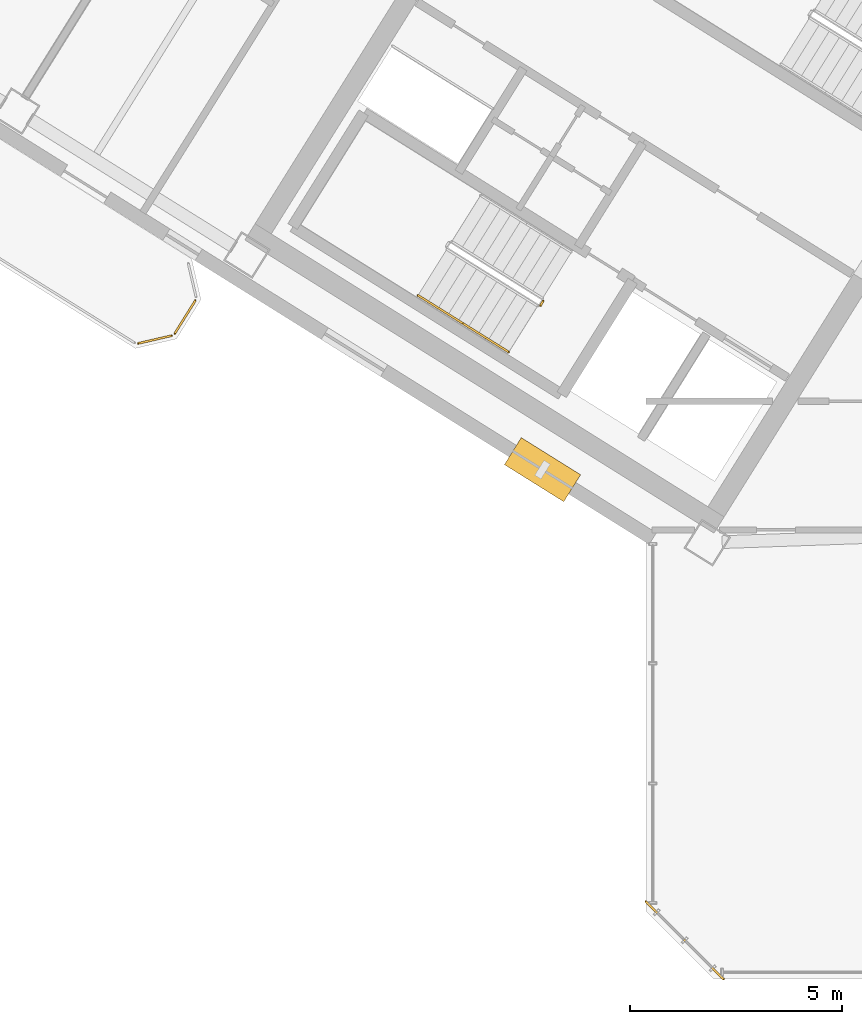
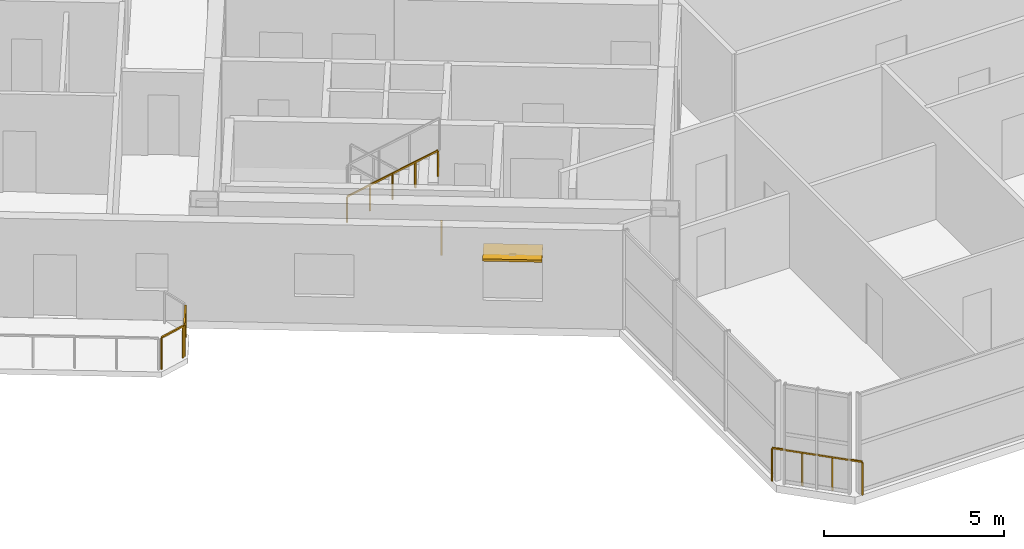
# One storey, part 19 of 23: 6 railings, 1 shading device.
"""IFC4 building model written with IfcOpenShell, lengths in metres."""

import ifcopenshell
import ifcopenshell.guid

model = None  # the IFC model being written
_history = None  # IfcOwnerHistory: only IFC2X3 demands one
_inside = {}  # id of a spatial element -> (the spatial element, [elements in it])
_under = {}  # id of a project, library or spatial element -> (it, [spatial elements below it])
_declared = {}  # id of a project -> (the project, [libraries it declares])
_typed = {}  # id of a type object -> (the type object, [elements of that type])
_made_of = {}  # id of a material, layer set ... -> (it, [elements and type objects made of it])


def new_model(schema):
    """Start an empty IFC model of exactly this schema.

    Asked for "IFC4X3", IfcOpenShell would pick the latest addendum, in which some entities
    have other attributes; the version numbers below select the first issue.
    IFC2X3 requires an IfcOwnerHistory on every rooted entity: one is made here for all.
    """
    global model, _history
    if schema == "IFC4X3":
        model = ifcopenshell.file(schema_version=(4, 3, 0, 0))
    else:
        model = ifcopenshell.file(schema=schema)
    _inside.clear()
    _under.clear()
    _declared.clear()
    _typed.clear()
    _made_of.clear()
    _history = None
    if model.schema == "IFC2X3":
        org = make("IfcOrganization", Name="unknown")
        user = make(
            "IfcPersonAndOrganization",
            ThePerson=make("IfcPerson", FamilyName="unknown"),
            TheOrganization=org,
        )
        app = make(
            "IfcApplication",
            ApplicationDeveloper=org,
            Version="unknown",
            ApplicationFullName="unknown",
            ApplicationIdentifier="unknown",
        )
        _history = make(
            "IfcOwnerHistory",
            OwningUser=user,
            OwningApplication=app,
            ChangeAction="ADDED",
            CreationDate=0,
        )
    return model


def make(cls, **values):
    """One entity of the class cls with the attributes given. An attribute that is None is left unset."""
    return model.create_entity(
        cls, **{name: value for name, value in values.items() if value is not None}
    )


def rooted(cls, **values):
    """An entity with a GlobalId (a new one), such as an element, a storey or a relation."""
    return make(cls, GlobalId=ifcopenshell.guid.new(), OwnerHistory=_history, **values)


def si_unit(unit_type, name, prefix=None):
    """IfcSIUnit, for example si_unit("LENGTHUNIT", "METRE", prefix="MILLI")."""
    return make("IfcSIUnit", UnitType=unit_type, Prefix=prefix, Name=name)


def assignment(units):
    """IfcUnitAssignment: the units of a project."""
    return None if units is None else make("IfcUnitAssignment", Units=units)


def point(xyz):
    """IfcCartesianPoint."""
    return None if xyz is None else make("IfcCartesianPoint", Coordinates=xyz)


def direction(xyz):
    """IfcDirection."""
    return None if xyz is None else make("IfcDirection", DirectionRatios=xyz)


def frame(location, z_axis=None, x_axis=None):
    """IfcAxis2Placement3D, a coordinate frame: its origin and axes. An axis left out is left unset."""
    return make(
        "IfcAxis2Placement3D",
        Location=point(location),
        Axis=direction(z_axis),
        RefDirection=direction(x_axis),
    )


def frame_2d(location, x_axis=None):
    """IfcAxis2Placement2D, a coordinate frame in the plane: its origin and x axis."""
    return make(
        "IfcAxis2Placement2D", Location=point(location), RefDirection=direction(x_axis)
    )


def origin():
    """The frame at (0, 0, 0) with its axes left unset."""
    return frame((0.0, 0.0, 0.0))


def origin_2d():
    """The frame at (0, 0) in the plane with its x axis left unset."""
    return frame_2d((0.0, 0.0))


def place(relative_to, where):
    """IfcLocalPlacement: puts the frame where relative to a parent placement (None: the world)."""
    return make(
        "IfcLocalPlacement", PlacementRelTo=relative_to, RelativePlacement=where
    )


def context(
    kind, dimensions, precision=None, world=None, true_north=None, identifier=None
):
    """IfcGeometricRepresentationContext, for example the 3D "Model" context."""
    return make(
        "IfcGeometricRepresentationContext",
        ContextIdentifier=identifier,
        ContextType=kind,
        CoordinateSpaceDimension=dimensions,
        Precision=precision,
        WorldCoordinateSystem=world,
        TrueNorth=true_north,
    )


def subcontext(parent, identifier, kind, view, scale=None):
    """IfcGeometricRepresentationSubContext, for example "Body" below "Model"."""
    return make(
        "IfcGeometricRepresentationSubContext",
        ContextIdentifier=identifier,
        ContextType=kind,
        ParentContext=parent,
        TargetScale=scale,
        TargetView=view,
    )


def project(units=None, contexts=None):
    """IfcProject with its units and contexts."""
    return rooted(
        "IfcProject",
        Name="project",
        RepresentationContexts=contexts,
        UnitsInContext=assignment(units),
    )


def spatial(cls, under=None, at=None, **own):
    """A site, building, storey or space (cls), placed at a placement, below another one or the project."""
    s = rooted(cls, ObjectPlacement=at, **own)
    if under is not None:
        _under.setdefault(under.id(), (under, []))[1].append(s)
    return s


def profile(cls, at=None, kind="AREA", **sizes):
    """A parametric profile (cls). Its sizes go by their IFC names, for example OverallWidth=200.0."""
    return make(cls, ProfileType=kind, Position=at, **sizes)


def rectangle(**sizes):
    """IfcRectangleProfileDef."""
    return profile("IfcRectangleProfileDef", **sizes)


def extrude(swept, where, along, depth):
    """IfcExtrudedAreaSolid: the profile swept, set in the frame where, extruded along a direction by depth."""
    return make(
        "IfcExtrudedAreaSolid",
        SweptArea=swept,
        Position=where,
        ExtrudedDirection=direction(along),
        Depth=depth,
    )


def shape(context_of_items, identifier, shape_type, items):
    """IfcShapeRepresentation: the items that make up one representation, for example the "Body"."""
    return make(
        "IfcShapeRepresentation",
        ContextOfItems=context_of_items,
        RepresentationIdentifier=identifier,
        RepresentationType=shape_type,
        Items=items,
    )


def source(mapping_origin, context_of_items, identifier, shape_type, items):
    """IfcRepresentationMap: a shape defined once, which mapped items show again and again."""
    return make(
        "IfcRepresentationMap",
        MappingOrigin=mapping_origin,
        MappedRepresentation=shape(context_of_items, identifier, shape_type, items),
    )


def transform(
    local_origin,
    x_axis=None,
    y_axis=None,
    z_axis=None,
    scale=None,
    scale2=None,
    scale3=None,
    uniform=True,
):
    """IfcCartesianTransformationOperator3D, or its non-uniform kind. x_axis, y_axis, z_axis: its Axis1, 2, 3."""
    if uniform:
        return make(
            "IfcCartesianTransformationOperator3D",
            Axis1=direction(x_axis),
            Axis2=direction(y_axis),
            LocalOrigin=point(local_origin),
            Scale=scale,
            Axis3=direction(z_axis),
        )
    return make(
        "IfcCartesianTransformationOperator3DnonUniform",
        Axis1=direction(x_axis),
        Axis2=direction(y_axis),
        LocalOrigin=point(local_origin),
        Scale=scale,
        Axis3=direction(z_axis),
        Scale2=scale2,
        Scale3=scale3,
    )


def mapped(mapping_source, mapping_target):
    """IfcMappedItem: shows the shape of a source again, moved by a transform."""
    return make(
        "IfcMappedItem", MappingSource=mapping_source, MappingTarget=mapping_target
    )


def material(Name=None, Category=None):
    """IfcMaterial."""
    return make("IfcMaterial", Name=Name, Category=Category)


def layer(
    of_material, thickness, ventilated=None, Name=None, Category=None, Priority=None
):
    """IfcMaterialLayer: one layer of a wall or slab, of a material (None: an air gap)."""
    return make(
        "IfcMaterialLayer",
        Material=of_material,
        LayerThickness=thickness,
        IsVentilated=ventilated,
        Name=Name,
        Category=Category,
        Priority=Priority,
    )


def layer_set(layers, Name=None):
    """IfcMaterialLayerSet."""
    return make("IfcMaterialLayerSet", MaterialLayers=layers, LayerSetName=Name)


def made_of(thing, what):
    """Note that an element or type object is made of a material, layer set ...; save() writes the relation."""
    if what is not None:
        _made_of.setdefault(what.id(), (what, []))[1].append(thing)
    return thing


def type_object(cls, material=None, **own):
    """A type object (cls), such as IfcWallType, which elements share."""
    return made_of(rooted(cls, **own), material)


def element(
    cls,
    number,
    at=None,
    inside=None,
    cuts=None,
    type_object=None,
    material=None,
    context=None,
    identifier="Body",
    shape_type=None,
    held_by="IfcProductDefinitionShape",
    body=None,
    shapes=None,
    **own,
):
    """One element of the class cls, such as IfcWall. Its Tag is "e" and its number.

    at: its placement. inside: the storey or other place that contains it. cuts: it is an
    opening in that element (IfcRelVoidsElement). A single representation is given by context,
    identifier, shape_type and body (its items); several are given by shapes. held_by: the class
    of the entity that holds the representations. save() writes the other relations.
    """
    e = rooted(cls, Tag="e%d" % number, ObjectPlacement=at, **own)
    if body is not None:
        shapes = [shape(context, identifier, shape_type, body)]
    if shapes is not None:
        e.Representation = make(held_by, Representations=shapes)
    if inside is not None:
        _inside.setdefault(inside.id(), (inside, []))[1].append(e)
    if cuts is not None:
        rooted(
            "IfcRelVoidsElement", RelatingBuildingElement=cuts, RelatedOpeningElement=e
        )
    if type_object is not None:
        _typed.setdefault(type_object.id(), (type_object, []))[1].append(e)
    return made_of(e, material)


def aggregate(whole, parts):
    """IfcRelAggregates: a whole, such as a stair, and the parts it consists of."""
    return rooted("IfcRelAggregates", RelatingObject=whole, RelatedObjects=parts)


def save(model, path):
    """Write the relations noted so far, then the file.

    IfcRelAggregates (storeys below a building ...), IfcRelContainedInSpatialStructure (elements
    in a storey), IfcRelDefinesByType, IfcRelAssociatesMaterial and IfcRelDeclares: one each for
    every whole, place, type object, material and project.
    """
    for whole, parts in _under.values():
        aggregate(whole, parts)
    for where, things in _inside.values():
        rooted(
            "IfcRelContainedInSpatialStructure",
            RelatedElements=things,
            RelatingStructure=where,
        )
    for kind, things in _typed.values():
        rooted("IfcRelDefinesByType", RelatedObjects=things, RelatingType=kind)
    for what, things in _made_of.values():
        rooted("IfcRelAssociatesMaterial", RelatedObjects=things, RelatingMaterial=what)
    for by, libraries in _declared.values():
        rooted("IfcRelDeclares", RelatingContext=by, RelatedDefinitions=libraries)
    model.write(path)


model = new_model("IFC4")

# Units and contexts
model_context = context("Model", 3, precision=1e-05, world=origin(), true_north=direction((0.0, 1.0)))
body_context = subcontext(model_context, "Body", "Model", "MODEL_VIEW")
ifc_project = project(units=[si_unit("LENGTHUNIT", "METRE"), si_unit("AREAUNIT", "SQUARE_METRE"), si_unit("VOLUMEUNIT", "CUBIC_METRE"), si_unit("PLANEANGLEUNIT", "RADIAN"), si_unit("MASSUNIT", "GRAM", prefix="KILO")], contexts=[model_context])

# Site, building, storey
site_placement = place(None, origin())
site = spatial("IfcSite", under=ifc_project, at=site_placement, CompositionType="ELEMENT")
building_placement = place(site_placement, origin())
building = spatial("IfcBuilding", under=site, at=building_placement, Name="Tlacorven Tower", CompositionType="ELEMENT")
storey_placement = place(building_placement, frame((0.0, 0.0, 218.39990234375)))
storey = spatial("IfcBuildingStorey", under=building, at=storey_placement, Name="L55", CompositionType="ELEMENT", Elevation=218.39990234375)

# Railings
ifc_material_1 = material(Name="Aluminium and painted steel balustrade", Category="steel")
railing_type_1 = type_object("IfcRailingType", Name="RL-BAL-1100", PredefinedType="BALUSTRADE", material=ifc_material_1)
shared_shape_1 = source(origin(), body_context, "Body", "SweptSolid", [
    extrude(rectangle(XDim=0.048095703125, YDim=0.048095703125, at=origin_2d()), frame((0.0, 0.0, 1.076171875), z_axis=(-0.52987865805, -0.848073468364, 0.0), x_axis=(0.848073468364, -0.52987865805, 0.0)), (0.0, 0.0, 1.0), 0.912353515625),
    extrude(rectangle(XDim=0.0419921875, YDim=0.0419921875, at=origin_2d()), origin(), (0.0, 0.0, 1.0), 1.052001953125),
    extrude(rectangle(XDim=0.0419921875, YDim=0.0419921875, at=origin_2d()), frame((-0.4833984375, -0.773681640625, 0.0)), (0.0, 0.0, 1.0), 1.052001953125),
])
railing_1_placement = place(storey_placement, frame((20.976318359375, 17.793701171875, 0.0)))
element("IfcRailing", 1, at=railing_1_placement, inside=storey, type_object=railing_type_1, Name="BAL-L55-W-OUT Guard Railing 2", PredefinedType="BALUSTRADE", context=body_context, shape_type="MappedRepresentation", body=[
    mapped(shared_shape_1, transform((0.0, 0.0, 0.0), scale=1.0)),
])
shared_shape_2 = source(origin(), body_context, "Body", "SweptSolid", [
    extrude(rectangle(XDim=0.048095703125, YDim=0.048095703125, at=origin_2d()), frame((0.0, 0.0, 1.076171875), z_axis=(-0.974345290916, -0.225058334816, 0.0), x_axis=(0.225058334816, -0.974345290916, 0.0)), (0.0, 0.0, 1.0), 0.80712890625),
    extrude(rectangle(XDim=0.0419921875, YDim=0.0419921875, at=origin_2d()), origin(), (0.0, 0.0, 1.0), 1.052001953125),
    extrude(rectangle(XDim=0.0419921875, YDim=0.0419921875, at=origin_2d()), frame((-0.786376953125, -0.181640625, 0.0)), (0.0, 0.0, 1.0), 1.052001953125),
])
railing_2_placement = place(storey_placement, frame((20.417724609375, 16.966552734375, 0.0)))
element("IfcRailing", 2, at=railing_2_placement, inside=storey, type_object=railing_type_1, Name="BAL-L55-W-OUT Guard Railing 3", PredefinedType="BALUSTRADE", context=body_context, shape_type="MappedRepresentation", body=[
    mapped(shared_shape_2, transform((0.0, 0.0, 0.0), scale=1.0)),
])
railing_type_2 = type_object("IfcRailingType", Name="RL-GRD-1150", PredefinedType="GUARDRAIL", material=ifc_material_1)
shared_shape_3 = source(origin(), body_context, "Body", "SweptSolid", [
    extrude(rectangle(XDim=0.048095703125, YDim=0.048095703125, at=origin_2d()), frame((0.0, 0.0, 1.1259765625), z_axis=(-0.707106781187, 0.707106781187, 0.0), x_axis=(-0.707106781187, -0.707106781187, 0.0)), (0.0, 0.0, 1.0), 2.590087890625),
    extrude(rectangle(XDim=0.0419921875, YDim=0.0419921875, at=origin_2d()), origin(), (0.0, 0.0, 1.0), 1.101806640625),
    extrude(rectangle(XDim=0.0419921875, YDim=0.0419921875, at=origin_2d()), frame((-0.610595703125, 0.610595703125, 0.0)), (0.0, 0.0, 1.0), 1.101806640625),
    extrude(rectangle(XDim=0.0419921875, YDim=0.0419921875, at=origin_2d()), frame((-1.220947265625, 1.220947265625, 0.0)), (0.0, 0.0, 1.0), 1.101806640625),
    extrude(rectangle(XDim=0.0419921875, YDim=0.0419921875, at=origin_2d()), frame((-1.83154296875, 1.83154296875, 0.0)), (0.0, 0.0, 1.0), 1.101806640625),
])
railing_3_placement = place(storey_placement, frame((33.428955078125, 1.79736328125, 0.0)))
element("IfcRailing", 3, at=railing_3_placement, inside=storey, type_object=railing_type_2, Name="L55 Knuckle Glazed Sill Guard 1", PredefinedType="GUARDRAIL", context=body_context, shape_type="MappedRepresentation", body=[
    mapped(shared_shape_3, transform((0.0, 0.0, 0.0), scale=1.0)),
])

# Shading device
ifc_material_2 = material(Name="Anodised bronze aluminium sunshade", Category="aluminium")
ifc_layer = layer(ifc_material_2, 0.080078125)
ifc_layer_set = layer_set([ifc_layer], Name="Anodised bronze aluminium sunshade")
shading_device_type = type_object("IfcShadingDeviceType", Name="SH-SUN-BRZ", PredefinedType="AWNING", material=ifc_layer_set)
shared_shape_4 = source(origin(), body_context, "Body", "SweptSolid", [
    extrude(rectangle(XDim=1.64990234375, YDim=0.75, at=origin_2d()), origin(), (0.0, 0.0, 1.0), 0.080078125),
])
shading_device_placement = place(storey_placement, frame((29.1611328125, 13.80712890625, 2.3701171875), z_axis=(0.0, 0.0, 1.0), x_axis=(-0.848048152806, 0.529919173576, 0.0)))
element("IfcShadingDevice", 4, at=shading_device_placement, inside=storey, type_object=shading_device_type, Name="L55 Solar Brise-Soleil Sunshade L55-01.1", PredefinedType="AWNING", context=body_context, shape_type="MappedRepresentation", body=[
    mapped(shared_shape_4, transform((0.0, 0.0, 0.0), scale=1.0)),
])

# Railings
railing_type_3 = type_object("IfcRailingType", Name="RL-GRD-1100", PredefinedType="GUARDRAIL", material=ifc_material_1)
shared_shape_5 = source(origin(), body_context, "Body", "SweptSolid", [
    extrude(rectangle(XDim=0.048095703125, YDim=0.048095703125, at=origin_2d()), frame((0.0, 0.0, 1.076171875), z_axis=(-0.529084052582, -0.848569422795, 0.0), x_axis=(0.848569422795, -0.529084052582, 0.0)), (0.0, 0.0, 1.0), 0.119873046875),
    extrude(rectangle(XDim=0.0419921875, YDim=0.0419921875, at=origin_2d()), origin(), (0.0, 0.0, 1.0), 1.052001953125),
    extrude(rectangle(XDim=0.0419921875, YDim=0.0419921875, at=origin_2d()), frame((-0.0634765625, -0.101806640625, 0.0)), (0.0, 0.0, 1.0), 1.052001953125),
])
railing_4_placement = place(storey_placement, frame((29.176513671875, 17.782958984375, 0.0)))
element("IfcRailing", 5, at=railing_4_placement, inside=storey, type_object=railing_type_3, Name="L55 ST-W1 stair guard 4", PredefinedType="GUARDRAIL", context=body_context, shape_type="MappedRepresentation", body=[
    mapped(shared_shape_5, transform((0.0, 0.0, 0.0), scale=1.0)),
])
railing_type_4 = type_object("IfcRailingType", Name="RL-HND-0900", PredefinedType="HANDRAIL", material=ifc_material_1)
shared_shape_6 = source(origin(), body_context, "Body", "SweptSolid", [
    extrude(rectangle(XDim=0.048095703125, YDim=0.048095703125, at=origin_2d()), frame((0.0, 0.0, 0.8759765625), z_axis=(0.713359751793, -0.4457479829, 0.540764828981), x_axis=(0.529911857636, 0.848052724267, 0.0)), (0.0, 0.0, 1.0), 1.498046875),
    extrude(rectangle(XDim=0.0419921875, YDim=0.0419921875, at=origin_2d()), origin(), (0.0, 0.0, 1.0), 0.851806640625),
    extrude(rectangle(XDim=0.0419921875, YDim=0.0419921875, at=origin_2d()), frame((0.5341796875, -0.333984375, 0.405029296875)), (0.0, 0.0, 1.0), 0.851806640625),
    extrude(rectangle(XDim=0.0419921875, YDim=0.0419921875, at=origin_2d()), frame((1.068603515625, -0.667724609375, 0.81005859375)), (0.0, 0.0, 1.0), 0.851806640625),
])
railing_5_placement = place(storey_placement, frame((26.228759765625, 17.915283203125, 1.97998046875)))
element("IfcRailing", 6, at=railing_5_placement, inside=storey, type_object=railing_type_4, Name="L55 ST-W1 stair handrail 3", PredefinedType="HANDRAIL", context=body_context, shape_type="MappedRepresentation", body=[
    mapped(shared_shape_6, transform((0.0, 0.0, 0.0), scale=1.0)),
])
shared_shape_7 = source(origin(), body_context, "Body", "SweptSolid", [
    extrude(rectangle(XDim=0.048095703125, YDim=0.048095703125, at=origin_2d()), frame((0.0, 0.0, 0.8759765625), z_axis=(0.713279695859, -0.445799809912, 0.540827703579), x_axis=(0.529998940003, 0.847998304005, 0.0)), (0.0, 0.0, 1.0), 1.497802734375),
    extrude(rectangle(XDim=0.0419921875, YDim=0.0419921875, at=origin_2d()), origin(), (0.0, 0.0, 1.0), 0.851806640625),
    extrude(rectangle(XDim=0.0419921875, YDim=0.0419921875, at=origin_2d()), frame((0.5341796875, -0.333984375, 0.405029296875)), (0.0, 0.0, 1.0), 0.851806640625),
    extrude(rectangle(XDim=0.0419921875, YDim=0.0419921875, at=origin_2d()), frame((1.068359375, -0.667724609375, 0.81005859375)), (0.0, 0.0, 1.0), 0.851806640625),
])
railing_6_placement = place(storey_placement, frame((27.29736328125, 17.24755859375, 2.7900390625)))
element("IfcRailing", 7, at=railing_6_placement, inside=storey, type_object=railing_type_4, Name="L55 ST-W1 stair handrail 4", PredefinedType="HANDRAIL", context=body_context, shape_type="MappedRepresentation", body=[
    mapped(shared_shape_7, transform((0.0, 0.0, 0.0), scale=1.0)),
])

save(model, "model.ifc")
